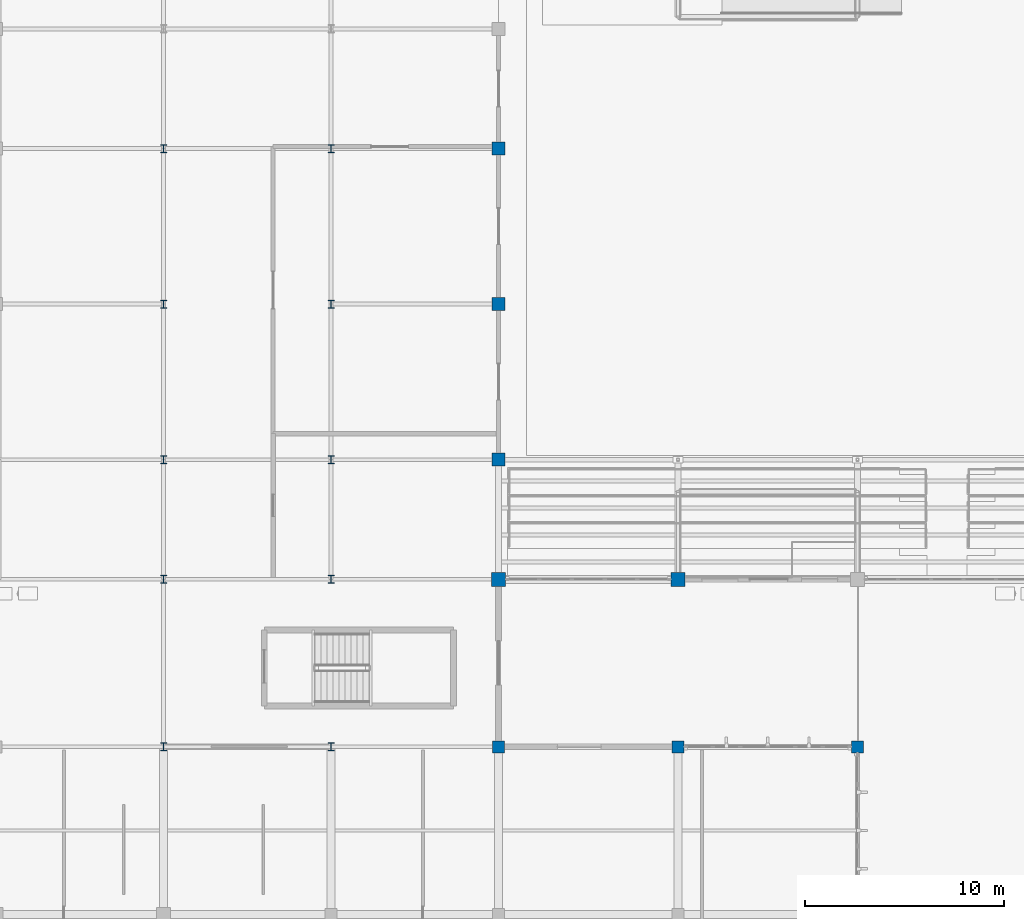
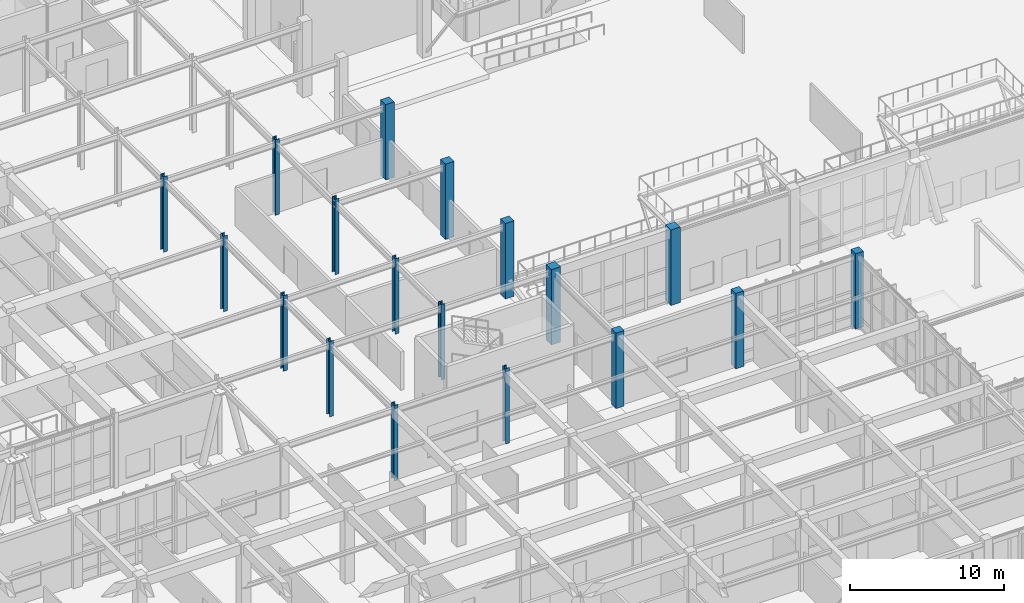
# One storey, part 6 of 110: 18 columns.
"""IFC4 building model written with IfcOpenShell, lengths in metres."""

from ifc_helpers import new_model, si_unit, direction, frame, origin, origin_2d, place, context, subcontext, project, spatial, rectangle, i_section, extrude, material, material_profile, profile_set, type_object, element, save


model = new_model("IFC4")

# Units and contexts
model_context = context("Model", 3, precision=1e-05, world=origin(), true_north=direction((0.0, 1.0)))
body_context = subcontext(model_context, "Body", "Model", "MODEL_VIEW")
ifc_project = project(units=[si_unit("LENGTHUNIT", "METRE"), si_unit("AREAUNIT", "SQUARE_METRE"), si_unit("VOLUMEUNIT", "CUBIC_METRE"), si_unit("PLANEANGLEUNIT", "RADIAN"), si_unit("MASSUNIT", "GRAM", prefix="KILO")], contexts=[model_context])

# Site, building, storey
site_placement = place(None, origin())
site = spatial("IfcSite", under=ifc_project, at=site_placement, CompositionType="ELEMENT")
building_placement = place(site_placement, origin())
building = spatial("IfcBuilding", under=site, at=building_placement, Name="Tizgana Railside Sports Hall", CompositionType="ELEMENT")
storey_placement = place(building_placement, origin())
storey = spatial("IfcBuildingStorey", under=building, at=storey_placement, Name="L00", CompositionType="ELEMENT", Elevation=0.0)

# Columns
ifc_material_1 = material(Name="Concrete C40/50", Category="concrete")
ifc_material_profile_1 = material_profile(ifc_material_1, rectangle(XDim=0.60009765625, YDim=0.60009765625, at=origin_2d()), Name="RC 600x600")
ifc_profile_set_1 = profile_set([ifc_material_profile_1], Name="Concrete C40/50")
column_type_1 = type_object("IfcColumnType", Name="Concrete Column RC 600x600", PredefinedType="COLUMN", material=ifc_profile_set_1)
for number, where, z_axis, x_axis, name in (
    (1, (79.800048828125, 32.39990234375, 0.0), (0.0, 0.0, 1.0), (1.0, 0.0, 0.0), "L00 COL-0245"),
    (2, (88.800048828125, 32.39990234375, 0.0), (0.0, 0.0, 1.0), (1.0, 0.0, 0.0), "L00 COL-0837"),
    (3, (97.800048828125, 32.39990234375, 0.0), (0.0, 0.0, 1.0), (1.0, 0.0, 0.0), "L00 COL-0857"),
):
    element("IfcColumn", number, at=place(storey_placement, frame(where, z_axis=z_axis, x_axis=x_axis)), inside=storey, type_object=column_type_1, Name=name, PredefinedType="COLUMN", context=body_context, shape_type="SweptSolid", body=[
        extrude(rectangle(XDim=0.60009765625, YDim=0.60009765625, at=origin_2d()), origin(), (0.0, 0.0, 1.0), 6.0),
    ])
ifc_material_profile_2 = material_profile(ifc_material_1, rectangle(XDim=0.64990234375, YDim=0.64990234375, at=origin_2d()), Name="RC 650x650")
ifc_profile_set_2 = profile_set([ifc_material_profile_2], Name="Concrete C40/50")
column_type_2 = type_object("IfcColumnType", Name="Concrete Column RC 650x650", PredefinedType="COLUMN", material=ifc_profile_set_2)
for number, where, z_axis, x_axis, name in (
    (4, (79.800048828125, 46.800048828125, 0.0), (0.0, 0.0, 1.0), (1.0, 0.0, 0.0), "L00 COL-0257"),
    (5, (79.800048828125, 54.60009765625, 0.0), (0.0, 0.0, 1.0), (1.0, 0.0, 0.0), "L00 COL-0260"),
    (6, (79.800048828125, 62.39990234375, 0.0), (0.0, 0.0, 1.0), (1.0, 0.0, 0.0), "L00 COL-0263"),
):
    element("IfcColumn", number, at=place(storey_placement, frame(where, z_axis=z_axis, x_axis=x_axis)), inside=storey, type_object=column_type_2, Name=name, PredefinedType="COLUMN", context=body_context, shape_type="SweptSolid", body=[
        extrude(rectangle(XDim=0.64990234375, YDim=0.64990234375, at=origin_2d()), origin(), (0.0, 0.0, 1.0), 6.0),
    ])
ifc_material_profile_3 = material_profile(ifc_material_1, rectangle(XDim=0.699951171875, YDim=0.699951171875, at=origin_2d()), Name="RC 700x700")
ifc_profile_set_3 = profile_set([ifc_material_profile_3], Name="Concrete C40/50")
column_type_3 = type_object("IfcColumnType", Name="Concrete Column RC 700x700", PredefinedType="COLUMN", material=ifc_profile_set_3)
for number, where, z_axis, x_axis, name in (
    (7, (79.800048828125, 40.800048828125, 0.0), (0.0, 0.0, 1.0), (1.0, 0.0, 0.0), "L00 COL-0251"),
    (8, (88.800048828125, 40.800048828125, 0.0), (0.0, 0.0, 1.0), (1.0, 0.0, 0.0), "L00 COL-0280"),
):
    element("IfcColumn", number, at=place(storey_placement, frame(where, z_axis=z_axis, x_axis=x_axis)), inside=storey, type_object=column_type_3, Name=name, PredefinedType="COLUMN", context=body_context, shape_type="SweptSolid", body=[
        extrude(rectangle(XDim=0.699951171875, YDim=0.699951171875, at=origin_2d()), origin(), (0.0, 0.0, 1.0), 6.0),
    ])
ifc_material_2 = material(Name="Steel S355J2", Category="steel")
ifc_material_profile_4 = material_profile(ifc_material_2, i_section(OverallWidth=0.300048828125, OverallDepth=0.39990234375, WebThickness=0.013427734375, FlangeThickness=0.02392578125, FilletRadius=0.027099609375, at=origin_2d()), Name="HEB 400")
ifc_profile_set_4 = profile_set([ifc_material_profile_4], Name="Steel S355J2")
column_type_4 = type_object("IfcColumnType", Name="Steel Column HEB 400", PredefinedType="COLUMN", material=ifc_profile_set_4)
for number, where, z_axis, x_axis, name in (
    (9, (63.0, 32.39990234375, 0.0), (0.0, 0.0, 1.0), (1.0, 0.0, 0.0), "L00 COL-0191"),
    (10, (63.0, 40.800048828125, 0.0), (0.0, 0.0, 1.0), (1.0, 0.0, 0.0), "L00 COL-0194"),
    (11, (63.0, 46.800048828125, 0.0), (0.0, 0.0, 1.0), (1.0, 0.0, 0.0), "L00 COL-0197"),
    (12, (63.0, 54.60009765625, 0.0), (0.0, 0.0, 1.0), (1.0, 0.0, 0.0), "L00 COL-0200"),
    (13, (63.0, 62.39990234375, 0.0), (0.0, 0.0, 1.0), (1.0, 0.0, 0.0), "L00 COL-0203"),
    (14, (71.39990234375, 32.39990234375, 0.0), (0.0, 0.0, 1.0), (1.0, 0.0, 0.0), "L00 COL-0218"),
    (15, (71.39990234375, 40.800048828125, 0.0), (0.0, 0.0, 1.0), (1.0, 0.0, 0.0), "L00 COL-0221"),
    (16, (71.39990234375, 46.800048828125, 0.0), (0.0, 0.0, 1.0), (1.0, 0.0, 0.0), "L00 COL-0224"),
    (17, (71.39990234375, 54.60009765625, 0.0), (0.0, 0.0, 1.0), (1.0, 0.0, 0.0), "L00 COL-0227"),
    (18, (71.39990234375, 62.39990234375, 0.0), (0.0, 0.0, 1.0), (1.0, 0.0, 0.0), "L00 COL-0230"),
):
    element("IfcColumn", number, at=place(storey_placement, frame(where, z_axis=z_axis, x_axis=x_axis)), inside=storey, type_object=column_type_4, Name=name, PredefinedType="COLUMN", context=body_context, shape_type="SweptSolid", body=[
        extrude(i_section(OverallWidth=0.300048828125, OverallDepth=0.39990234375, WebThickness=0.013427734375, FlangeThickness=0.02392578125, FilletRadius=0.027099609375, at=origin_2d()), origin(), (0.0, 0.0, 1.0), 6.0),
    ])

save(model, "model.ifc")
